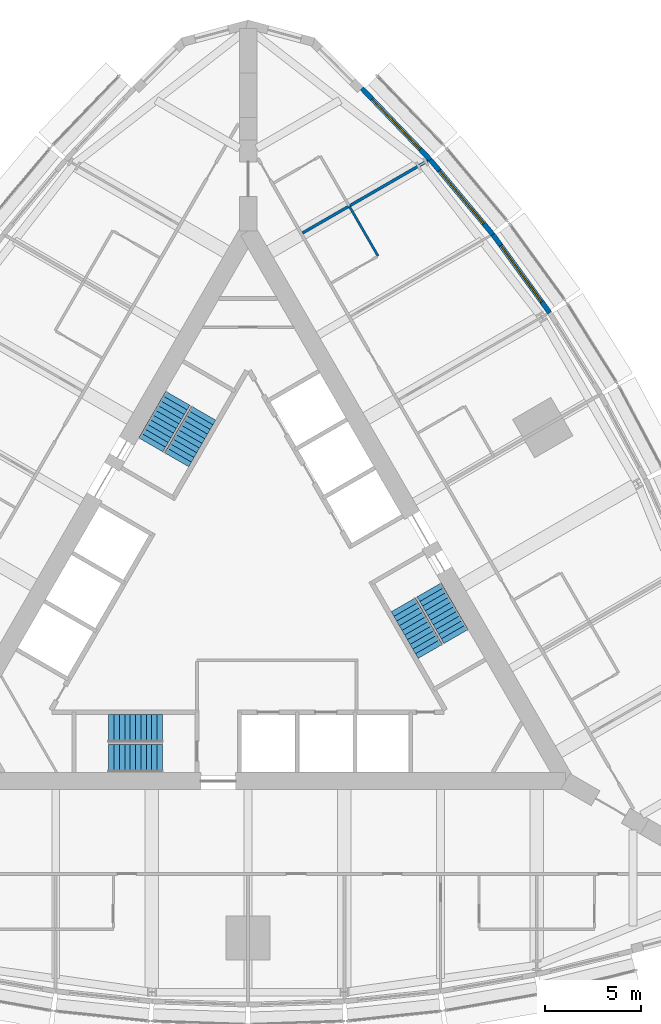
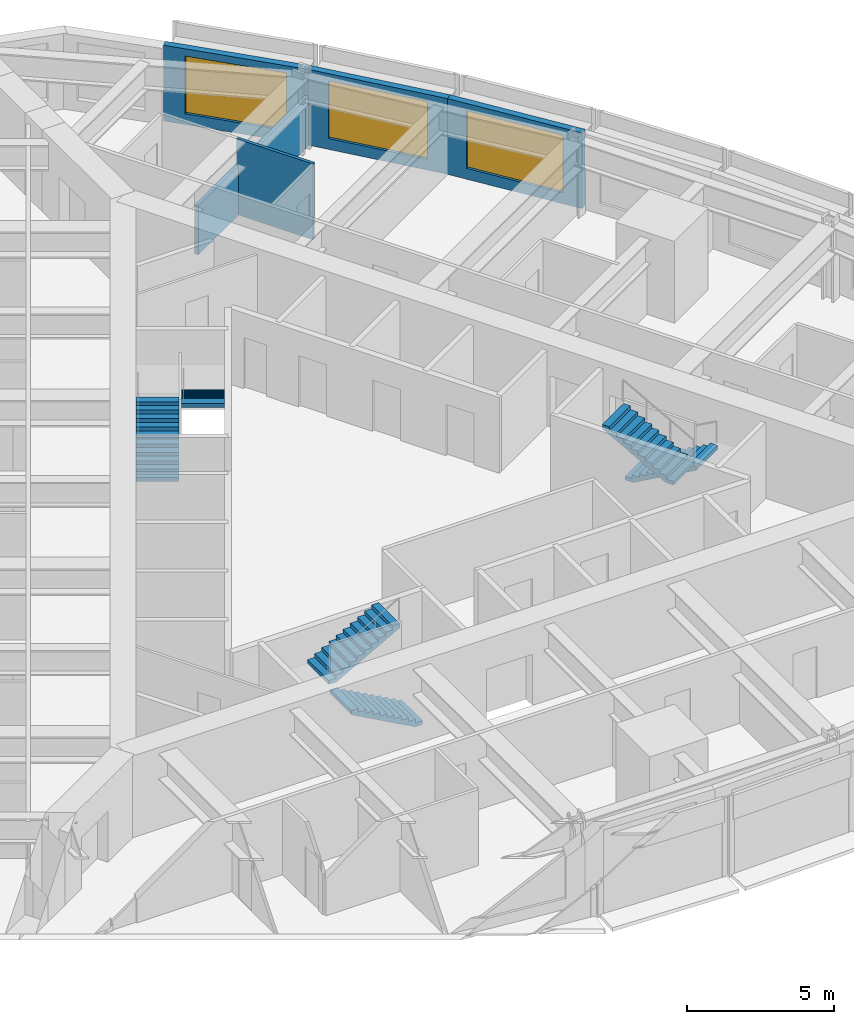
# One storey, part 14 of 15: 6 stair flights, 5 walls, 3 windows, 3 openings, 3 elements without a shape of their own.
"""IFC4 building model written with IfcOpenShell, lengths in metres."""

from ifc_helpers import new_model, si_unit, direction, frame, frame_2d, origin, place, context, subcontext, project, spatial, polyline, rectangle, outline, extrude, material, layer, layer_set, type_object, element, fill, aggregate, save


model = new_model("IFC4")

# Units and contexts
model_context = context("Model", 3, precision=1e-05, world=origin(), true_north=direction((0.0, 1.0)))
body_context = subcontext(model_context, "Body", "Model", "MODEL_VIEW")
ifc_project = project(units=[si_unit("LENGTHUNIT", "METRE"), si_unit("AREAUNIT", "SQUARE_METRE"), si_unit("VOLUMEUNIT", "CUBIC_METRE"), si_unit("PLANEANGLEUNIT", "RADIAN"), si_unit("MASSUNIT", "GRAM", prefix="KILO")], contexts=[model_context])

# Site, building, storey
site_placement = place(None, origin())
site = spatial("IfcSite", under=ifc_project, at=site_placement, CompositionType="ELEMENT")
building_placement = place(site_placement, origin())
building = spatial("IfcBuilding", under=site, at=building_placement, Name="Trikona Tower", CompositionType="ELEMENT")
storey_placement = place(building_placement, frame((0.0, 0.0, 186.10009765625)))
storey = spatial("IfcBuildingStorey", under=building, at=storey_placement, Name="L50", CompositionType="ELEMENT", Elevation=186.10009765625)

# Wall
ifc_material_1 = material(Name="Metal stud and cement board", Category="gypsum")
ifc_layer_1 = layer(ifc_material_1, 0.1201171875)
ifc_layer_set_1 = layer_set([ifc_layer_1], Name="Bathroom wall 120")
wall_type_1 = type_object("IfcWallType", Name="Bathroom wall 120", PredefinedType="PLUMBINGWALL", material=ifc_layer_set_1)
wall_1_placement = place(storey_placement, frame((6.75341796875, 17.75537109375, 0.0), z_axis=(0.0, 0.0, 1.0), x_axis=(-0.499990139034, 0.866031096941, 0.0)))
element("IfcWall", 1, at=wall_1_placement, inside=storey, type_object=wall_type_1, Name="Bathroom wall 5007.2", PredefinedType="PLUMBINGWALL", context=body_context, shape_type="SweptSolid", body=[
    extrude(rectangle(XDim=3.0, YDim=0.1201171875, at=frame_2d((1.5, 0.0))), origin(), (0.0, 0.0, 1.0), 3.14990234375),
])

# Wall, opening, window
ifc_material_2 = material(Name="Insulated precast concrete spandrel panel", Category="concrete")
ifc_layer_2 = layer(ifc_material_2, 0.25)
ifc_layer_set_2 = layer_set([ifc_layer_2], Name="Inner skin wall 250")
wall_type_2 = type_object("IfcWallType", Name="Inner skin wall 250", PredefinedType="STANDARD", material=ifc_layer_set_2)
wall_2_placement = place(storey_placement, frame((15.672119140625, 14.806640625, 0.0), z_axis=(0.0, 0.0, 1.0), x_axis=(-0.587669188412, 0.809101307001, 0.0)))
wall_2 = element("IfcWall", 2, at=wall_2_placement, inside=storey, type_object=wall_type_2, Name="External wall L50-17", PredefinedType="STANDARD", context=body_context, shape_type="SweptSolid", body=[
    extrude(rectangle(XDim=5.027587890625, YDim=0.25, at=frame_2d((2.513671875, 0.0))), origin(), (0.0, 0.0, 1.0), 3.14990234375),
])
opening_1_placement = place(wall_2_placement, frame((0.7138671875, 0.0, 0.449951171875)))
opening_1 = element("IfcOpeningElement", 3, at=opening_1_placement, cuts=wall_2, Name="Opening W3624", PredefinedType="OPENING", context=body_context, shape_type="SweptSolid", body=[
    extrude(rectangle(XDim=3.60009765625, YDim=2.39990234375, at=frame_2d((1.800048828125, 1.199951171875))), frame((0.0, 0.135009765625, 0.0), z_axis=(0.0, -1.0, 0.0), x_axis=(1.0, 0.0, 0.0)), (0.0, 0.0, 1.0), 0.27001953125),
])
ifc_material_3 = material(Name="Aluminium-framed double glazing", Category="aluminium")
window_type = type_object("IfcWindowType", Name="Window 3600x2400", PartitioningType="SINGLE_PANEL", PredefinedType="WINDOW", material=ifc_material_3)
window_1_placement = place(opening_1_placement, origin())
window_1 = element("IfcWindow", 4, at=window_1_placement, inside=storey, type_object=window_type, Name="Window 5007", OverallHeight=2.39990234375, OverallWidth=3.60009765625, PartitioningType="SINGLE_PANEL", PredefinedType="WINDOW", context=body_context, shape_type="SweptSolid", body=[
    extrude(rectangle(XDim=3.60009765625, YDim=2.39990234375, at=frame_2d((1.800048828125, 1.199951171875))), frame((0.0, 0.030029296875, 0.0), z_axis=(0.0, -1.0, 0.0), x_axis=(1.0, 0.0, 0.0)), (0.0, 0.0, 1.0), 0.06005859375),
])
fill(opening_1, window_1)

wall_3_placement = place(storey_placement, frame((12.722900390625, 18.86767578125, 0.0), z_axis=(0.0, 0.0, 1.0), x_axis=(-0.641810386606, 0.766863369607, 0.0)))
wall_3 = element("IfcWall", 5, at=wall_3_placement, inside=storey, type_object=wall_type_2, Name="External wall L50-18", PredefinedType="STANDARD", context=body_context, shape_type="SweptSolid", body=[
    extrude(rectangle(XDim=5.075927734375, YDim=0.25, at=frame_2d((2.5380859375, 0.0))), origin(), (0.0, 0.0, 1.0), 3.14990234375),
])
opening_2_placement = place(wall_3_placement, frame((0.738037109375, 0.0, 0.449951171875)))
opening_2 = element("IfcOpeningElement", 6, at=opening_2_placement, cuts=wall_3, Name="Opening W3624", PredefinedType="OPENING", context=body_context, shape_type="SweptSolid", body=[
    extrude(rectangle(XDim=3.60009765625, YDim=2.39990234375, at=frame_2d((1.800048828125, 1.199951171875))), frame((0.0, 0.135009765625, 0.0), z_axis=(0.0, -1.0, 0.0), x_axis=(1.0, 0.0, 0.0)), (0.0, 0.0, 1.0), 0.27001953125),
])
window_2_placement = place(opening_2_placement, origin())
window_2 = element("IfcWindow", 7, at=window_2_placement, inside=storey, type_object=window_type, Name="Window 5007.2", OverallHeight=2.39990234375, OverallWidth=3.60009765625, PartitioningType="SINGLE_PANEL", PredefinedType="WINDOW", context=body_context, shape_type="SweptSolid", body=[
    extrude(rectangle(XDim=3.60009765625, YDim=2.39990234375, at=frame_2d((1.800048828125, 1.199951171875))), frame((0.0, 0.030029296875, 0.0), z_axis=(0.0, -1.0, 0.0), x_axis=(1.0, 0.0, 0.0)), (0.0, 0.0, 1.0), 0.06005859375),
])
fill(opening_2, window_2)

wall_4_placement = place(storey_placement, frame((9.470703125, 22.75390625, 0.0), z_axis=(0.0, 0.0, 1.0), x_axis=(-0.691719937936, 0.722165858693, 0.0)))
wall_4 = element("IfcWall", 8, at=wall_4_placement, inside=storey, type_object=wall_type_2, Name="External wall L50-19", PredefinedType="STANDARD", context=body_context, shape_type="SweptSolid", body=[
    extrude(rectangle(XDim=5.148193359375, YDim=0.25, at=frame_2d((2.57421875, 0.0))), origin(), (0.0, 0.0, 1.0), 3.14990234375),
])
opening_3_placement = place(wall_4_placement, frame((0.77392578125, 0.0, 0.449951171875)))
opening_3 = element("IfcOpeningElement", 9, at=opening_3_placement, cuts=wall_4, Name="Opening W3624", PredefinedType="OPENING", context=body_context, shape_type="SweptSolid", body=[
    extrude(rectangle(XDim=3.60009765625, YDim=2.39990234375, at=frame_2d((1.800048828125, 1.199951171875))), frame((0.0, 0.135009765625, 0.0), z_axis=(0.0, -1.0, 0.0), x_axis=(1.0, 0.0, 0.0)), (0.0, 0.0, 1.0), 0.27001953125),
])
window_3_placement = place(opening_3_placement, origin())
window_3 = element("IfcWindow", 10, at=window_3_placement, inside=storey, type_object=window_type, Name="Window 5008", OverallHeight=2.39990234375, OverallWidth=3.60009765625, PartitioningType="SINGLE_PANEL", PredefinedType="WINDOW", context=body_context, shape_type="SweptSolid", body=[
    extrude(rectangle(XDim=3.60009765625, YDim=2.39990234375, at=frame_2d((1.800048828125, 1.199951171875))), frame((0.0, 0.030029296875, 0.0), z_axis=(0.0, -1.0, 0.0), x_axis=(1.0, 0.0, 0.0)), (0.0, 0.0, 1.0), 0.06005859375),
])
fill(opening_3, window_3)

# Wall
ifc_material_4 = material(Name="Metal stud and gypsum board, 1-hour acoustic", Category="gypsum")
ifc_layer_3 = layer(ifc_material_4, 0.14990234375)
ifc_layer_set_3 = layer_set([ifc_layer_3], Name="Party wall 150")
wall_type_3 = type_object("IfcWallType", Name="Party wall 150", PredefinedType="PARTITIONING", material=ifc_layer_set_3)
wall_5_placement = place(storey_placement, frame((2.82861328125, 18.95361328125, 0.0), z_axis=(0.0, 0.0, 1.0), x_axis=(0.866015739374, 0.500016738876, 0.0)))
element("IfcWall", 11, at=wall_5_placement, inside=storey, type_object=wall_type_3, Name="Partition L50 F2 u15", PredefinedType="PARTITIONING", context=body_context, shape_type="SweptSolid", body=[
    extrude(rectangle(XDim=7.516357421875, YDim=0.14990234375, at=frame_2d((3.75830078125, 0.0))), origin(), (0.0, 0.0, 1.0), 2.0498046875),
])

# Stair, stair flights
ifc_material_5 = material(Name="Concrete f'c 5000 psi", Category="concrete")
stair_type = type_object("IfcStairType", Name="Core stair", PredefinedType="HALF_TURN_STAIR", material=ifc_material_5)
stair_1_placement = place(storey_placement, origin())
stair_1 = element("IfcStair", 12, at=stair_1_placement, inside=storey, type_object=stair_type, Name="Stair A L50", PredefinedType="HALF_TURN_STAIR")
ifc_material_6 = material(Name="Concrete f'c 5000 psi", Category="concrete")
stair_flight_type = type_object("IfcStairFlightType", Name="Core stair flight 1450", PredefinedType="STRAIGHT", material=ifc_material_6)
stair_flight_1_placement = place(storey_placement, frame((-4.449951171875, -8.351318359375, 0.0), z_axis=(0.0, 0.0, 1.0), x_axis=(-1.0, 0.0, 0.0)))
stair_flight_1 = element("IfcStairFlight", 13, at=stair_flight_1_placement, type_object=stair_flight_type, Name="ST-A flight 1", NumberOfRisers=11, NumberOfTreads=10, PredefinedType="STRAIGHT", RiserHeight=0.154545, TreadLength=0.28, context=body_context, shape_type="SweptSolid", body=[
    extrude(outline(polyline([(0.0, 0.0), (0.0, 0.154541015625), (0.280029296875, 0.154541015625), (0.280029296875, 0.30908203125), (0.56005859375, 0.30908203125), (0.56005859375, 0.463623046875), (0.840087890625, 0.463623046875), (0.840087890625, 0.6181640625), (1.1201171875, 0.6181640625), (1.1201171875, 0.772705078125), (1.39990234375, 0.772705078125), (1.39990234375, 0.92724609375), (1.679931640625, 0.92724609375), (1.679931640625, 1.081787109375), (1.9599609375, 1.081787109375), (1.9599609375, 1.236328125), (2.239990234375, 1.236328125), (2.239990234375, 1.390869140625), (2.52001953125, 1.390869140625), (2.52001953125, 1.54541015625), (2.800048828125, 1.54541015625), (2.800048828125, 1.699951171875), (2.800048828125, 1.374267578125), (0.310302734375, 0.0), (0.0, 0.0)])), frame((0.0, 0.72509765625, 0.0), z_axis=(0.0, -1.0, 0.0), x_axis=(1.0, 0.0, 0.0)), (0.0, 0.0, 1.0), 1.449951171875),
])
stair_flight_2_placement = place(storey_placement, frame((-7.25, -6.80126953125, 1.699951171875), z_axis=(0.0, 0.0, 1.0), x_axis=(1.0, 0.0, 0.0)))
stair_flight_2 = element("IfcStairFlight", 14, at=stair_flight_2_placement, type_object=stair_flight_type, Name="ST-A flight 2", NumberOfRisers=11, NumberOfTreads=10, PredefinedType="STRAIGHT", RiserHeight=0.154545, TreadLength=0.28, context=body_context, shape_type="SweptSolid", body=[
    extrude(outline(polyline([(0.0, 0.0), (0.0, 0.154541015625), (0.280029296875, 0.154541015625), (0.280029296875, 0.30908203125), (0.56005859375, 0.30908203125), (0.56005859375, 0.463623046875), (0.840087890625, 0.463623046875), (0.840087890625, 0.6181640625), (1.1201171875, 0.6181640625), (1.1201171875, 0.772705078125), (1.39990234375, 0.772705078125), (1.39990234375, 0.92724609375), (1.679931640625, 0.92724609375), (1.679931640625, 1.081787109375), (1.9599609375, 1.081787109375), (1.9599609375, 1.236328125), (2.239990234375, 1.236328125), (2.239990234375, 1.390869140625), (2.52001953125, 1.390869140625), (2.52001953125, 1.54541015625), (2.800048828125, 1.54541015625), (2.800048828125, 1.699951171875), (2.800048828125, 1.374267578125), (0.310302734375, 0.0), (0.0, 0.0)])), frame((0.0, 0.72509765625, 0.0), z_axis=(0.0, -1.0, 0.0), x_axis=(1.0, 0.0, 0.0)), (0.0, 0.0, 1.0), 1.449951171875),
])
aggregate(stair_1, [stair_flight_1, stair_flight_2])

stair_2_placement = place(storey_placement, origin())
stair_2 = element("IfcStair", 15, at=stair_2_placement, inside=storey, type_object=stair_type, Name="Stair B L50", PredefinedType="HALF_TURN_STAIR")
stair_flight_3_placement = place(storey_placement, frame((9.407470703125, 0.408447265625, 0.0), z_axis=(0.0, 0.0, 1.0), x_axis=(0.5, -0.866025403784, 0.0)))
stair_flight_3 = element("IfcStairFlight", 16, at=stair_flight_3_placement, type_object=stair_flight_type, Name="ST-B flight 1", NumberOfRisers=11, NumberOfTreads=10, PredefinedType="STRAIGHT", RiserHeight=0.154545, TreadLength=0.28, context=body_context, shape_type="SweptSolid", body=[
    extrude(outline(polyline([(0.0, 0.0), (0.0, 0.154541015625), (0.280029296875, 0.154541015625), (0.280029296875, 0.30908203125), (0.56005859375, 0.30908203125), (0.56005859375, 0.463623046875), (0.840087890625, 0.463623046875), (0.840087890625, 0.6181640625), (1.1201171875, 0.6181640625), (1.1201171875, 0.772705078125), (1.39990234375, 0.772705078125), (1.39990234375, 0.92724609375), (1.679931640625, 0.92724609375), (1.679931640625, 1.081787109375), (1.9599609375, 1.081787109375), (1.9599609375, 1.236328125), (2.239990234375, 1.236328125), (2.239990234375, 1.390869140625), (2.52001953125, 1.390869140625), (2.52001953125, 1.54541015625), (2.800048828125, 1.54541015625), (2.800048828125, 1.699951171875), (2.800048828125, 1.374267578125), (0.310302734375, 0.0), (0.0, 0.0)])), frame((0.0, 0.72509765625, 0.0), z_axis=(0.0, -1.0, 0.0), x_axis=(1.0, 0.0, 0.0)), (0.0, 0.0, 1.0), 1.449951171875),
])
stair_flight_4_placement = place(storey_placement, frame((9.465087890625, -2.79150390625, 1.699951171875), z_axis=(0.0, 0.0, 1.0), x_axis=(-0.5, 0.866025403784, 0.0)))
stair_flight_4 = element("IfcStairFlight", 17, at=stair_flight_4_placement, type_object=stair_flight_type, Name="ST-B flight 2", NumberOfRisers=11, NumberOfTreads=10, PredefinedType="STRAIGHT", RiserHeight=0.154545, TreadLength=0.28, context=body_context, shape_type="SweptSolid", body=[
    extrude(outline(polyline([(0.0, 0.0), (0.0, 0.154541015625), (0.280029296875, 0.154541015625), (0.280029296875, 0.30908203125), (0.56005859375, 0.30908203125), (0.56005859375, 0.463623046875), (0.840087890625, 0.463623046875), (0.840087890625, 0.6181640625), (1.1201171875, 0.6181640625), (1.1201171875, 0.772705078125), (1.39990234375, 0.772705078125), (1.39990234375, 0.92724609375), (1.679931640625, 0.92724609375), (1.679931640625, 1.081787109375), (1.9599609375, 1.081787109375), (1.9599609375, 1.236328125), (2.239990234375, 1.236328125), (2.239990234375, 1.390869140625), (2.52001953125, 1.390869140625), (2.52001953125, 1.54541015625), (2.800048828125, 1.54541015625), (2.800048828125, 1.699951171875), (2.800048828125, 1.374267578125), (0.310302734375, 0.0), (0.0, 0.0)])), frame((0.0, 0.72509765625, 0.0), z_axis=(0.0, -1.0, 0.0), x_axis=(1.0, 0.0, 0.0)), (0.0, 0.0, 1.0), 1.449951171875),
])
aggregate(stair_2, [stair_flight_3, stair_flight_4])

stair_3_placement = place(storey_placement, origin())
stair_3 = element("IfcStair", 18, at=stair_3_placement, inside=storey, type_object=stair_type, Name="Stair C L50", PredefinedType="HALF_TURN_STAIR")
stair_flight_5_placement = place(storey_placement, frame((-5.057373046875, 7.94287109375, 0.0), z_axis=(0.0, 0.0, 1.0), x_axis=(0.5, 0.866025403784, 0.0)))
stair_flight_5 = element("IfcStairFlight", 19, at=stair_flight_5_placement, type_object=stair_flight_type, Name="ST-C flight 1", NumberOfRisers=11, NumberOfTreads=10, PredefinedType="STRAIGHT", RiserHeight=0.154545, TreadLength=0.28, context=body_context, shape_type="SweptSolid", body=[
    extrude(outline(polyline([(0.0, 0.0), (0.0, 0.154541015625), (0.280029296875, 0.154541015625), (0.280029296875, 0.30908203125), (0.56005859375, 0.30908203125), (0.56005859375, 0.463623046875), (0.840087890625, 0.463623046875), (0.840087890625, 0.6181640625), (1.1201171875, 0.6181640625), (1.1201171875, 0.772705078125), (1.39990234375, 0.772705078125), (1.39990234375, 0.92724609375), (1.679931640625, 0.92724609375), (1.679931640625, 1.081787109375), (1.9599609375, 1.081787109375), (1.9599609375, 1.236328125), (2.239990234375, 1.236328125), (2.239990234375, 1.390869140625), (2.52001953125, 1.390869140625), (2.52001953125, 1.54541015625), (2.800048828125, 1.54541015625), (2.800048828125, 1.699951171875), (2.800048828125, 1.374267578125), (0.310302734375, 0.0), (0.0, 0.0)])), frame((0.0, 0.72509765625, 0.0), z_axis=(0.0, -1.0, 0.0), x_axis=(1.0, 0.0, 0.0)), (0.0, 0.0, 1.0), 1.449951171875),
])
stair_flight_6_placement = place(storey_placement, frame((-2.315185546875, 9.5927734375, 1.699951171875), z_axis=(0.0, 0.0, 1.0), x_axis=(-0.5, -0.866025403784, 0.0)))
stair_flight_6 = element("IfcStairFlight", 20, at=stair_flight_6_placement, type_object=stair_flight_type, Name="ST-C flight 2", NumberOfRisers=11, NumberOfTreads=10, PredefinedType="STRAIGHT", RiserHeight=0.154545, TreadLength=0.28, context=body_context, shape_type="SweptSolid", body=[
    extrude(outline(polyline([(0.0, 0.0), (0.0, 0.154541015625), (0.280029296875, 0.154541015625), (0.280029296875, 0.30908203125), (0.56005859375, 0.30908203125), (0.56005859375, 0.463623046875), (0.840087890625, 0.463623046875), (0.840087890625, 0.6181640625), (1.1201171875, 0.6181640625), (1.1201171875, 0.772705078125), (1.39990234375, 0.772705078125), (1.39990234375, 0.92724609375), (1.679931640625, 0.92724609375), (1.679931640625, 1.081787109375), (1.9599609375, 1.081787109375), (1.9599609375, 1.236328125), (2.239990234375, 1.236328125), (2.239990234375, 1.390869140625), (2.52001953125, 1.390869140625), (2.52001953125, 1.54541015625), (2.800048828125, 1.54541015625), (2.800048828125, 1.699951171875), (2.800048828125, 1.374267578125), (0.310302734375, 0.0), (0.0, 0.0)])), frame((0.0, 0.72509765625, 0.0), z_axis=(0.0, -1.0, 0.0), x_axis=(1.0, 0.0, 0.0)), (0.0, 0.0, 1.0), 1.449951171875),
])
aggregate(stair_3, [stair_flight_5, stair_flight_6])

save(model, "model.ifc")
